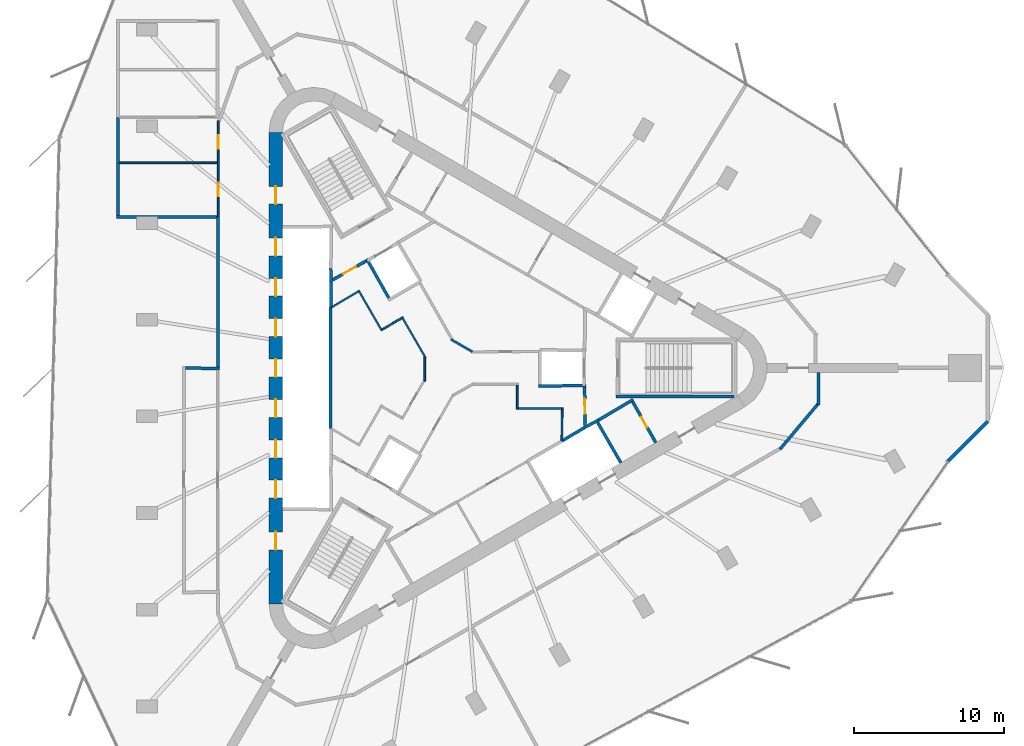
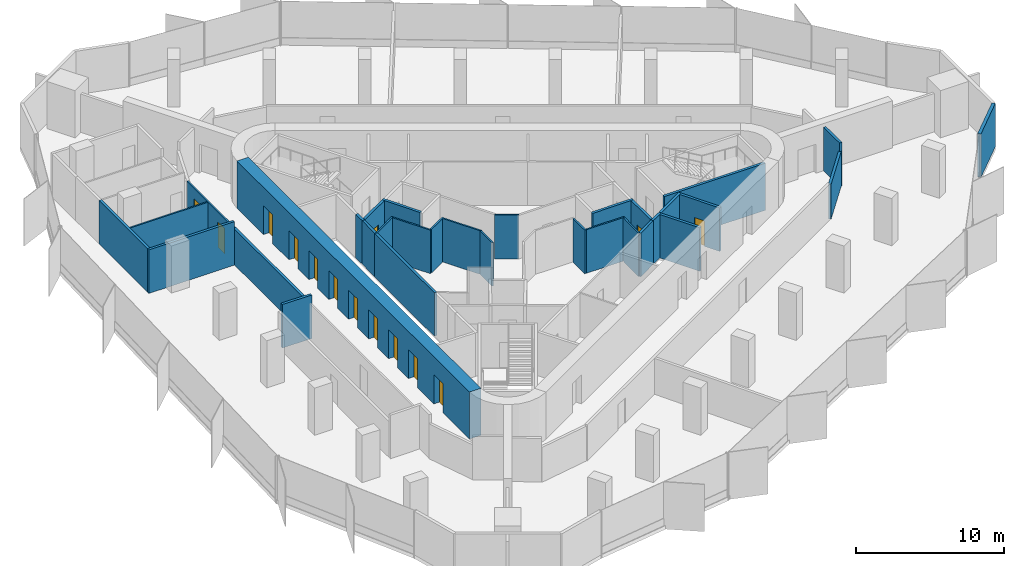
# One storey, part 9 of 13: 32 walls, 14 doors, 14 openings.
"""IFC4 building model written with IfcOpenShell, lengths in metres."""

from ifc_helpers import new_model, si_unit, direction, frame, frame_2d, origin, place, context, subcontext, project, spatial, rectangle, extrude, material, layer, layer_set, type_object, element, fill, save


model = new_model("IFC4")

# Units and contexts
model_context = context("Model", 3, precision=1e-05, world=origin(), true_north=direction((0.0, 1.0)))
body_context = subcontext(model_context, "Body", "Model", "MODEL_VIEW")
ifc_project = project(units=[si_unit("LENGTHUNIT", "METRE"), si_unit("AREAUNIT", "SQUARE_METRE"), si_unit("VOLUMEUNIT", "CUBIC_METRE"), si_unit("PLANEANGLEUNIT", "RADIAN"), si_unit("MASSUNIT", "GRAM", prefix="KILO")], contexts=[model_context])

# Site, building, storey
site_placement = place(None, origin())
site = spatial("IfcSite", under=ifc_project, at=site_placement, CompositionType="ELEMENT")
building_placement = place(site_placement, origin())
building = spatial("IfcBuilding", under=site, at=building_placement, Name="Tanit Gate Tower", CompositionType="ELEMENT")
storey_placement = place(building_placement, frame((0.0, 0.0, 326.0)))
storey = spatial("IfcBuildingStorey", under=building, at=storey_placement, Name="L73", CompositionType="ELEMENT", Elevation=326.0)

# Wall, openings, doors
ifc_material_1 = material(Name="Concrete C40/50", Category="concrete")
ifc_layer_1 = layer(ifc_material_1, 0.89990234375)
ifc_layer_set_1 = layer_set([ifc_layer_1], Name="CORE WALL 900 C40/50")
wall_type_1 = type_object("IfcWallType", Name="CORE WALL 900 C40/50", PredefinedType="SHEAR", material=ifc_layer_set_1)
wall_1_placement = place(storey_placement, frame((-11.64990234375, 15.76171875, 0.0), z_axis=(0.0, 0.0, 1.0), x_axis=(0.0, -1.0, 0.0)))
wall_1 = element("IfcWall", 1, at=wall_1_placement, inside=storey, type_object=wall_type_1, Name="CORE WALL", PredefinedType="SHEAR", context=body_context, shape_type="SweptSolid", body=[
    extrude(rectangle(XDim=31.5234375, YDim=0.89990234375, at=frame_2d((15.76171875, 0.0))), origin(), (0.0, 0.0, 1.0), 3.89990234375),
])
opening_1_placement = place(wall_1_placement, frame((7.061767578125, 0.0, 0.0)))
opening_1 = element("IfcOpeningElement", 2, at=opening_1_placement, cuts=wall_1, Name="Opening LDHL1-S20", PredefinedType="OPENING", context=body_context, shape_type="SweptSolid", body=[
    extrude(rectangle(XDim=1.199951171875, YDim=2.39990234375, at=frame_2d((0.60009765625, 1.199951171875))), frame((0.0, 0.4599609375, 0.0), z_axis=(0.0, -1.0, 0.0), x_axis=(1.0, 0.0, 0.0)), (0.0, 0.0, 1.0), 0.919921875),
])
opening_2_placement = place(wall_1_placement, frame((9.76171875, 0.0, 0.0)))
opening_2 = element("IfcOpeningElement", 3, at=opening_2_placement, cuts=wall_1, Name="Opening LDHL2-S20", PredefinedType="OPENING", context=body_context, shape_type="SweptSolid", body=[
    extrude(rectangle(XDim=1.199951171875, YDim=2.39990234375, at=frame_2d((0.60009765625, 1.199951171875))), frame((0.0, 0.4599609375, 0.0), z_axis=(0.0, -1.0, 0.0), x_axis=(1.0, 0.0, 0.0)), (0.0, 0.0, 1.0), 0.919921875),
])
opening_3_placement = place(wall_1_placement, frame((12.461669921875, 0.0, 0.0)))
opening_3 = element("IfcOpeningElement", 4, at=opening_3_placement, cuts=wall_1, Name="Opening LDHL3-S20", PredefinedType="OPENING", context=body_context, shape_type="SweptSolid", body=[
    extrude(rectangle(XDim=1.199951171875, YDim=2.39990234375, at=frame_2d((0.60009765625, 1.199951171875))), frame((0.0, 0.4599609375, 0.0), z_axis=(0.0, -1.0, 0.0), x_axis=(1.0, 0.0, 0.0)), (0.0, 0.0, 1.0), 0.919921875),
])
opening_4_placement = place(wall_1_placement, frame((15.16162109375, 0.0, 0.0)))
opening_4 = element("IfcOpeningElement", 5, at=opening_4_placement, cuts=wall_1, Name="Opening LDHL4-S20", PredefinedType="OPENING", context=body_context, shape_type="SweptSolid", body=[
    extrude(rectangle(XDim=1.199951171875, YDim=2.39990234375, at=frame_2d((0.60009765625, 1.199951171875))), frame((0.0, 0.4599609375, 0.0), z_axis=(0.0, -1.0, 0.0), x_axis=(1.0, 0.0, 0.0)), (0.0, 0.0, 1.0), 0.919921875),
])
opening_5_placement = place(wall_1_placement, frame((17.86181640625, 0.0, 0.0)))
opening_5 = element("IfcOpeningElement", 6, at=opening_5_placement, cuts=wall_1, Name="Opening LDHL5-S20", PredefinedType="OPENING", context=body_context, shape_type="SweptSolid", body=[
    extrude(rectangle(XDim=1.199951171875, YDim=2.39990234375, at=frame_2d((0.60009765625, 1.199951171875))), frame((0.0, 0.4599609375, 0.0), z_axis=(0.0, -1.0, 0.0), x_axis=(1.0, 0.0, 0.0)), (0.0, 0.0, 1.0), 0.919921875),
])
opening_6_placement = place(wall_1_placement, frame((20.561767578125, 0.0, 0.0)))
opening_6 = element("IfcOpeningElement", 7, at=opening_6_placement, cuts=wall_1, Name="Opening LDHL6-S20", PredefinedType="OPENING", context=body_context, shape_type="SweptSolid", body=[
    extrude(rectangle(XDim=1.199951171875, YDim=2.39990234375, at=frame_2d((0.60009765625, 1.199951171875))), frame((0.0, 0.4599609375, 0.0), z_axis=(0.0, -1.0, 0.0), x_axis=(1.0, 0.0, 0.0)), (0.0, 0.0, 1.0), 0.919921875),
])
opening_7_placement = place(wall_1_placement, frame((23.26171875, 0.0, 0.0)))
opening_7 = element("IfcOpeningElement", 8, at=opening_7_placement, cuts=wall_1, Name="Opening LDHL7-S20", PredefinedType="OPENING", context=body_context, shape_type="SweptSolid", body=[
    extrude(rectangle(XDim=1.199951171875, YDim=2.39990234375, at=frame_2d((0.60009765625, 1.199951171875))), frame((0.0, 0.4599609375, 0.0), z_axis=(0.0, -1.0, 0.0), x_axis=(1.0, 0.0, 0.0)), (0.0, 0.0, 1.0), 0.919921875),
])
opening_8_placement = place(wall_1_placement, frame((3.61181640625, 0.0, 0.0)))
opening_8 = element("IfcOpeningElement", 9, at=opening_8_placement, cuts=wall_1, Name="Opening F12-S20-FL2", PredefinedType="OPENING", context=body_context, shape_type="SweptSolid", body=[
    extrude(rectangle(XDim=1.199951171875, YDim=2.39990234375, at=frame_2d((0.60009765625, 1.199951171875))), frame((0.0, 0.4599609375, 0.0), z_axis=(0.0, -1.0, 0.0), x_axis=(1.0, 0.0, 0.0)), (0.0, 0.0, 1.0), 0.919921875),
])
opening_9_placement = place(wall_1_placement, frame((26.711669921875, 0.0, 0.0)))
opening_9 = element("IfcOpeningElement", 10, at=opening_9_placement, cuts=wall_1, Name="Opening F12-S20-S3", PredefinedType="OPENING", context=body_context, shape_type="SweptSolid", body=[
    extrude(rectangle(XDim=1.199951171875, YDim=2.39990234375, at=frame_2d((0.60009765625, 1.199951171875))), frame((0.0, 0.4599609375, 0.0), z_axis=(0.0, -1.0, 0.0), x_axis=(1.0, 0.0, 0.0)), (0.0, 0.0, 1.0), 0.919921875),
])
ifc_material_2 = material(Name="Fire-rated steel door leaf", Category="steel")
door_type_1 = type_object("IfcDoorType", Name="INT-DOOR-FIRE-LOBBY-1200", OperationType="NOTDEFINED", PredefinedType="USERDEFINED", material=ifc_material_2)
door_1_placement = place(opening_8_placement, origin())
door_1 = element("IfcDoor", 11, at=door_1_placement, inside=storey, type_object=door_type_1, Name="Door F12-S20-FL2", ObjectType="FIRE DOOR", OperationType="SINGLE_SWING_LEFT", OverallHeight=2.39990234375, OverallWidth=1.199951171875, PredefinedType="USERDEFINED", context=body_context, shape_type="SweptSolid", body=[
    extrude(rectangle(XDim=1.199951171875, YDim=2.39990234375, at=frame_2d((0.60009765625, 1.199951171875))), frame((0.0, 0.02490234375, 0.0), z_axis=(0.0, -1.0, 0.0), x_axis=(1.0, 0.0, 0.0)), (0.0, 0.0, 1.0), 0.050048828125),
])
fill(opening_8, door_1)
door_2_placement = place(opening_9_placement, origin())
door_2 = element("IfcDoor", 12, at=door_2_placement, inside=storey, type_object=door_type_1, Name="Door F12-S20-S3", ObjectType="FIRE DOOR", OperationType="SINGLE_SWING_LEFT", OverallHeight=2.39990234375, OverallWidth=1.199951171875, PredefinedType="USERDEFINED", context=body_context, shape_type="SweptSolid", body=[
    extrude(rectangle(XDim=1.199951171875, YDim=2.39990234375, at=frame_2d((0.60009765625, 1.199951171875))), frame((0.0, 0.02490234375, 0.0), z_axis=(0.0, -1.0, 0.0), x_axis=(1.0, 0.0, 0.0)), (0.0, 0.0, 1.0), 0.050048828125),
])
fill(opening_9, door_2)
ifc_material_3 = material(Name="Stainless steel sliding door leaf", Category="steel")
door_type_2 = type_object("IfcDoorType", Name="INT-DOOR-LANDING-1200", OperationType="NOTDEFINED", PredefinedType="USERDEFINED", material=ifc_material_3)
door_3_placement = place(opening_1_placement, origin())
door_3 = element("IfcDoor", 13, at=door_3_placement, inside=storey, type_object=door_type_2, Name="Door LDHL1-S20", ObjectType="LANDING DOOR", OperationType="SLIDING_TO_LEFT", OverallHeight=2.39990234375, OverallWidth=1.199951171875, PredefinedType="USERDEFINED", context=body_context, shape_type="SweptSolid", body=[
    extrude(rectangle(XDim=1.199951171875, YDim=2.39990234375, at=frame_2d((0.60009765625, 1.199951171875))), frame((0.0, 0.02490234375, 0.0), z_axis=(0.0, -1.0, 0.0), x_axis=(1.0, 0.0, 0.0)), (0.0, 0.0, 1.0), 0.050048828125),
])
fill(opening_1, door_3)
door_4_placement = place(opening_2_placement, origin())
door_4 = element("IfcDoor", 14, at=door_4_placement, inside=storey, type_object=door_type_2, Name="Door LDHL2-S20", ObjectType="LANDING DOOR", OperationType="SLIDING_TO_LEFT", OverallHeight=2.39990234375, OverallWidth=1.199951171875, PredefinedType="USERDEFINED", context=body_context, shape_type="SweptSolid", body=[
    extrude(rectangle(XDim=1.199951171875, YDim=2.39990234375, at=frame_2d((0.60009765625, 1.199951171875))), frame((0.0, 0.02490234375, 0.0), z_axis=(0.0, -1.0, 0.0), x_axis=(1.0, 0.0, 0.0)), (0.0, 0.0, 1.0), 0.050048828125),
])
fill(opening_2, door_4)
door_5_placement = place(opening_3_placement, origin())
door_5 = element("IfcDoor", 15, at=door_5_placement, inside=storey, type_object=door_type_2, Name="Door LDHL3-S20", ObjectType="LANDING DOOR", OperationType="SLIDING_TO_LEFT", OverallHeight=2.39990234375, OverallWidth=1.199951171875, PredefinedType="USERDEFINED", context=body_context, shape_type="SweptSolid", body=[
    extrude(rectangle(XDim=1.199951171875, YDim=2.39990234375, at=frame_2d((0.60009765625, 1.199951171875))), frame((0.0, 0.02490234375, 0.0), z_axis=(0.0, -1.0, 0.0), x_axis=(1.0, 0.0, 0.0)), (0.0, 0.0, 1.0), 0.050048828125),
])
fill(opening_3, door_5)
door_6_placement = place(opening_4_placement, origin())
door_6 = element("IfcDoor", 16, at=door_6_placement, inside=storey, type_object=door_type_2, Name="Door LDHL4-S20", ObjectType="LANDING DOOR", OperationType="SLIDING_TO_LEFT", OverallHeight=2.39990234375, OverallWidth=1.199951171875, PredefinedType="USERDEFINED", context=body_context, shape_type="SweptSolid", body=[
    extrude(rectangle(XDim=1.199951171875, YDim=2.39990234375, at=frame_2d((0.60009765625, 1.199951171875))), frame((0.0, 0.02490234375, 0.0), z_axis=(0.0, -1.0, 0.0), x_axis=(1.0, 0.0, 0.0)), (0.0, 0.0, 1.0), 0.050048828125),
])
fill(opening_4, door_6)
door_7_placement = place(opening_5_placement, origin())
door_7 = element("IfcDoor", 17, at=door_7_placement, inside=storey, type_object=door_type_2, Name="Door LDHL5-S20", ObjectType="LANDING DOOR", OperationType="SLIDING_TO_LEFT", OverallHeight=2.39990234375, OverallWidth=1.199951171875, PredefinedType="USERDEFINED", context=body_context, shape_type="SweptSolid", body=[
    extrude(rectangle(XDim=1.199951171875, YDim=2.39990234375, at=frame_2d((0.60009765625, 1.199951171875))), frame((0.0, 0.02490234375, 0.0), z_axis=(0.0, -1.0, 0.0), x_axis=(1.0, 0.0, 0.0)), (0.0, 0.0, 1.0), 0.050048828125),
])
fill(opening_5, door_7)
door_8_placement = place(opening_6_placement, origin())
door_8 = element("IfcDoor", 18, at=door_8_placement, inside=storey, type_object=door_type_2, Name="Door LDHL6-S20", ObjectType="LANDING DOOR", OperationType="SLIDING_TO_LEFT", OverallHeight=2.39990234375, OverallWidth=1.199951171875, PredefinedType="USERDEFINED", context=body_context, shape_type="SweptSolid", body=[
    extrude(rectangle(XDim=1.199951171875, YDim=2.39990234375, at=frame_2d((0.60009765625, 1.199951171875))), frame((0.0, 0.02490234375, 0.0), z_axis=(0.0, -1.0, 0.0), x_axis=(1.0, 0.0, 0.0)), (0.0, 0.0, 1.0), 0.050048828125),
])
fill(opening_6, door_8)
door_9_placement = place(opening_7_placement, origin())
door_9 = element("IfcDoor", 19, at=door_9_placement, inside=storey, type_object=door_type_2, Name="Door LDHL7-S20", ObjectType="LANDING DOOR", OperationType="SLIDING_TO_LEFT", OverallHeight=2.39990234375, OverallWidth=1.199951171875, PredefinedType="USERDEFINED", context=body_context, shape_type="SweptSolid", body=[
    extrude(rectangle(XDim=1.199951171875, YDim=2.39990234375, at=frame_2d((0.60009765625, 1.199951171875))), frame((0.0, 0.02490234375, 0.0), z_axis=(0.0, -1.0, 0.0), x_axis=(1.0, 0.0, 0.0)), (0.0, 0.0, 1.0), 0.050048828125),
])
fill(opening_7, door_9)

# Walls
ifc_material_4 = material(Name="Concrete C30/37 with bronze anodised aluminium cladding", Category="concrete")
ifc_layer_2 = layer(ifc_material_4, 0.239990234375)
ifc_layer_set_2 = layer_set([ifc_layer_2], Name="Facade wall bronze clad 240")
wall_type_2 = type_object("IfcWallType", Name="Facade wall bronze clad 240", PredefinedType="SOLIDWALL", material=ifc_layer_set_2)
wall_2_placement = place(storey_placement, frame((33.29638671875, -6.238037109375, 0.0), z_axis=(0.0, 0.0, 1.0), x_axis=(0.707106781187, 0.707106781187, 0.0)))
element("IfcWall", 20, at=wall_2_placement, inside=storey, type_object=wall_type_2, Name="Bronze-clad facade wall L73 E.arc1", PredefinedType="SOLIDWALL", context=body_context, shape_type="SweptSolid", body=[
    extrude(rectangle(XDim=3.75341796875, YDim=0.239990234375, at=frame_2d((1.876708984375, 0.0))), origin(), (0.0, 0.0, 1.0), 3.60009765625),
])
ifc_material_5 = material(Name="Fire-rated gypsum board partition")
ifc_layer_3 = layer(ifc_material_5, 0.199951171875)
ifc_layer_set_3 = layer_set([ifc_layer_3], Name="INT-WALL-COMPARTMENT")
wall_type_3 = type_object("IfcWallType", Name="INT-WALL-COMPARTMENT", PredefinedType="PARTITIONING", material=ifc_layer_set_3)
wall_3_placement = place(storey_placement, frame((12.244873046875, -2.10888671875, 0.0), z_axis=(0.0, 0.0, 1.0), x_axis=(-0.860414880418, -0.509594185166, 0.0)))
element("IfcWall", 21, at=wall_3_placement, inside=storey, type_object=wall_type_3, Name="Wall Compartment W057", PredefinedType="PARTITIONING", context=body_context, shape_type="SweptSolid", body=[
    extrude(rectangle(XDim=2.7001953125, YDim=0.199951171875, at=frame_2d((1.35009765625, 0.0))), origin(), (0.0, 0.0, 1.0), 3.60009765625),
])

# Wall, opening, door
wall_4_placement = place(storey_placement, frame((13.758056640625, -4.989501953125, 0.0), z_axis=(0.0, 0.0, 1.0), x_axis=(-0.491993409184, 0.87059892334, 0.0)))
wall_4 = element("IfcWall", 22, at=wall_4_placement, inside=storey, type_object=wall_type_3, Name="Wall Compartment W058", PredefinedType="PARTITIONING", context=body_context, shape_type="SweptSolid", body=[
    extrude(rectangle(XDim=3.150146484375, YDim=0.199951171875, at=frame_2d((1.5751953125, 0.0))), origin(), (0.0, 0.0, 1.0), 3.60009765625),
])
opening_10_placement = place(wall_4_placement, frame((1.175048828125, 0.0, 0.0)))
opening_10 = element("IfcOpeningElement", 23, at=opening_10_placement, cuts=wall_4, Name="Opening R08-S20-17", PredefinedType="OPENING", context=body_context, shape_type="SweptSolid", body=[
    extrude(rectangle(XDim=0.800048828125, YDim=2.10009765625, at=frame_2d((0.39990234375, 1.050048828125))), frame((0.0, 0.10986328125, 0.0), z_axis=(0.0, -1.0, 0.0), x_axis=(1.0, 0.0, 0.0)), (0.0, 0.0, 1.0), 0.219970703125),
])
ifc_material_6 = material(Name="Timber door leaf", Category="wood")
door_type_3 = type_object("IfcDoorType", Name="INT-DOOR-RISER-800", OperationType="NOTDEFINED", PredefinedType="USERDEFINED", material=ifc_material_6)
door_10_placement = place(opening_10_placement, origin())
door_10 = element("IfcDoor", 24, at=door_10_placement, inside=storey, type_object=door_type_3, Name="Door R08-S20-17", ObjectType="FIRE DOOR", OperationType="SINGLE_SWING_LEFT", OverallHeight=2.10009765625, OverallWidth=0.800048828125, PredefinedType="USERDEFINED", context=body_context, shape_type="SweptSolid", body=[
    extrude(rectangle(XDim=0.800048828125, YDim=2.10009765625, at=frame_2d((0.39990234375, 1.050048828125))), frame((0.0, 0.02490234375, 0.0), z_axis=(0.0, -1.0, 0.0), x_axis=(1.0, 0.0, 0.0)), (0.0, 0.0, 1.0), 0.050048828125),
])
fill(opening_10, door_10)

wall_5_placement = place(storey_placement, frame((9.02880859375, -3.850830078125, 0.0), z_axis=(0.0, 0.0, 1.0), x_axis=(-0.010783593937, 0.99994185536, 0.0)))
wall_5 = element("IfcWall", 25, at=wall_5_placement, inside=storey, type_object=wall_type_3, Name="Wall Compartment W060", PredefinedType="PARTITIONING", context=body_context, shape_type="SweptSolid", body=[
    extrude(rectangle(XDim=2.5810546875, YDim=0.199951171875, at=frame_2d((1.29052734375, 0.0))), origin(), (0.0, 0.0, 1.0), 3.60009765625),
])
opening_11_placement = place(wall_5_placement, frame((0.79052734375, 0.0, 0.0)))
opening_11 = element("IfcOpeningElement", 26, at=opening_11_placement, cuts=wall_5, Name="Opening F10-S20-02", PredefinedType="OPENING", context=body_context, shape_type="SweptSolid", body=[
    extrude(rectangle(XDim=1.0, YDim=2.10009765625, at=frame_2d((0.5, 1.050048828125))), frame((0.0, 0.10986328125, 0.0), z_axis=(0.0, -1.0, 0.0), x_axis=(1.0, 0.0, 0.0)), (0.0, 0.0, 1.0), 0.219970703125),
])
ifc_material_7 = material(Name="Fire-rated steel door leaf", Category="steel")
door_type_4 = type_object("IfcDoorType", Name="INT-DOOR-FIRE-1000", OperationType="NOTDEFINED", PredefinedType="USERDEFINED", material=ifc_material_7)
door_11_placement = place(opening_11_placement, origin())
door_11 = element("IfcDoor", 27, at=door_11_placement, inside=storey, type_object=door_type_4, Name="Door F10-S20-02", ObjectType="FIRE DOOR", OperationType="SINGLE_SWING_LEFT", OverallHeight=2.10009765625, OverallWidth=1.0, PredefinedType="USERDEFINED", context=body_context, shape_type="SweptSolid", body=[
    extrude(rectangle(XDim=1.0, YDim=2.10009765625, at=frame_2d((0.5, 1.050048828125))), frame((0.0, 0.02490234375, 0.0), z_axis=(0.0, -1.0, 0.0), x_axis=(1.0, 0.0, 0.0)), (0.0, 0.0, 1.0), 0.050048828125),
])
fill(opening_11, door_11)

wall_6_placement = place(storey_placement, frame((-5.600341796875, 7.16015625, 0.0), z_axis=(0.0, 0.0, 1.0), x_axis=(-0.871363259478, -0.490638431059, 0.0)))
wall_6 = element("IfcWall", 28, at=wall_6_placement, inside=storey, type_object=wall_type_3, Name="Wall Compartment W062", PredefinedType="PARTITIONING", context=body_context, shape_type="SweptSolid", body=[
    extrude(rectangle(XDim=2.5810546875, YDim=0.199951171875, at=frame_2d((1.29052734375, 0.0))), origin(), (0.0, 0.0, 1.0), 3.60009765625),
])
opening_12_placement = place(wall_6_placement, frame((0.79052734375, 0.0, 0.0)))
opening_12 = element("IfcOpeningElement", 29, at=opening_12_placement, cuts=wall_6, Name="Opening F10-S20-05", PredefinedType="OPENING", context=body_context, shape_type="SweptSolid", body=[
    extrude(rectangle(XDim=1.0, YDim=2.10009765625, at=frame_2d((0.5, 1.050048828125))), frame((0.0, 0.10986328125, 0.0), z_axis=(0.0, -1.0, 0.0), x_axis=(1.0, 0.0, 0.0)), (0.0, 0.0, 1.0), 0.219970703125),
])
door_12_placement = place(opening_12_placement, origin())
door_12 = element("IfcDoor", 30, at=door_12_placement, inside=storey, type_object=door_type_4, Name="Door F10-S20-05", ObjectType="FIRE DOOR", OperationType="SINGLE_SWING_RIGHT", OverallHeight=2.10009765625, OverallWidth=1.0, PredefinedType="USERDEFINED", context=body_context, shape_type="SweptSolid", body=[
    extrude(rectangle(XDim=1.0, YDim=2.10009765625, at=frame_2d((0.5, 1.050048828125))), frame((0.0, 0.02490234375, 0.0), z_axis=(0.0, -1.0, 0.0), x_axis=(1.0, 0.0, 0.0)), (0.0, 0.0, 1.0), 0.050048828125),
])
fill(opening_12, door_12)

# Walls
wall_7_placement = place(storey_placement, frame((-15.39990234375, -0.03125, 0.0), z_axis=(0.0, 0.0, 1.0), x_axis=(-0.999914782125, 0.013054826261, 0.0)))
element("IfcWall", 31, at=wall_7_placement, inside=storey, type_object=wall_type_3, Name="Wall Compartment W086", PredefinedType="PARTITIONING", context=body_context, shape_type="SweptSolid", body=[
    extrude(rectangle(XDim=2.30029296875, YDim=0.199951171875, at=frame_2d((1.150146484375, 0.0))), origin(), (0.0, 0.0, 1.0), 3.60009765625),
])
wall_8_placement = place(storey_placement, frame((-15.5, 10.199951171875, 0.0), z_axis=(0.0, 0.0, 1.0), x_axis=(0.0, -1.0, 0.0)))
element("IfcWall", 32, at=wall_8_placement, inside=storey, type_object=wall_type_3, Name="Wall Compartment W090", PredefinedType="PARTITIONING", context=body_context, shape_type="SweptSolid", body=[
    extrude(rectangle(XDim=10.1298828125, YDim=0.199951171875, at=frame_2d((5.06494140625, 0.0))), origin(), (0.0, 0.0, 1.0), 2.969970703125),
])
wall_9_placement = place(storey_placement, frame((24.647705078125, -2.46240234375, 0.0), z_axis=(0.0, 0.0, 1.0), x_axis=(-0.012757232068, 0.999918623204, 0.0)))
element("IfcWall", 33, at=wall_9_placement, inside=storey, type_object=wall_type_3, Name="Wall Compartment W102", PredefinedType="PARTITIONING", context=body_context, shape_type="SweptSolid", body=[
    extrude(rectangle(XDim=2.16259765625, YDim=0.199951171875, at=frame_2d((1.081298828125, 0.0))), origin(), (0.0, 0.0, 1.0), 3.60009765625),
])
wall_10_placement = place(storey_placement, frame((22.05419921875, -5.435302734375, 0.0), z_axis=(0.0, 0.0, 1.0), x_axis=(0.642790979996, 0.766041615081, 0.0)))
element("IfcWall", 34, at=wall_10_placement, inside=storey, type_object=wall_type_3, Name="Wall Compartment W103", PredefinedType="PARTITIONING", context=body_context, shape_type="SweptSolid", body=[
    extrude(rectangle(XDim=3.9833984375, YDim=0.199951171875, at=frame_2d((1.99169921875, 0.0))), origin(), (0.0, 0.0, 1.0), 2.8798828125),
])
wall_11_placement = place(storey_placement, frame((-22.199951171875, 16.76171875, 0.0), z_axis=(0.0, 0.0, 1.0), x_axis=(0.0, -1.0, 0.0)))
element("IfcWall", 35, at=wall_11_placement, inside=storey, type_object=wall_type_3, Name="Wall Compartment W114", PredefinedType="PARTITIONING", context=body_context, shape_type="SweptSolid", body=[
    extrude(rectangle(XDim=6.561767578125, YDim=0.199951171875, at=frame_2d((3.28076171875, 0.0))), origin(), (0.0, 0.0, 1.0), 3.60009765625),
])
wall_12_placement = place(storey_placement, frame((-15.60009765625, 10.10009765625, 0.0), z_axis=(0.0, 0.0, 1.0), x_axis=(-1.0, 0.0, 0.0)))
element("IfcWall", 36, at=wall_12_placement, inside=storey, type_object=wall_type_3, Name="Wall Compartment W113", PredefinedType="PARTITIONING", context=body_context, shape_type="SweptSolid", body=[
    extrude(rectangle(XDim=6.699951171875, YDim=0.199951171875, at=frame_2d((3.35009765625, 0.0))), origin(), (0.0, 0.0, 1.0), 3.60009765625),
])
ifc_material_8 = material(Name="Gypsum board partition")
ifc_layer_4 = layer(ifc_material_8, 0.1201171875)
ifc_layer_set_4 = layer_set([ifc_layer_4], Name="INT-WALL-PARTITION")
wall_type_4 = type_object("IfcWallType", Name="INT-WALL-PARTITION", PredefinedType="PARTITIONING", material=ifc_layer_set_4)
wall_13_placement = place(storey_placement, frame((4.5, -2.760009765625, 0.0), z_axis=(0.0, 0.0, 1.0), x_axis=(0.0, 1.0, 0.0)))
element("IfcWall", 37, at=wall_13_placement, inside=storey, type_object=wall_type_4, Name="Wall Partition W071", PredefinedType="PARTITIONING", context=body_context, shape_type="SweptSolid", body=[
    extrude(rectangle(XDim=1.625, YDim=0.1201171875, at=frame_2d((0.8125, 0.0))), origin(), (0.0, 0.0, 1.0), 3.60009765625),
])
wall_14_placement = place(storey_placement, frame((7.56005859375, -2.699951171875, 0.0), z_axis=(0.0, 0.0, 1.0), x_axis=(-1.0, 0.0, 0.0)))
element("IfcWall", 38, at=wall_14_placement, inside=storey, type_object=wall_type_4, Name="Wall Partition W072", PredefinedType="PARTITIONING", context=body_context, shape_type="SweptSolid", body=[
    extrude(rectangle(XDim=3.0, YDim=0.1201171875, at=frame_2d((1.5, 0.0))), origin(), (0.0, 0.0, 1.0), 3.60009765625),
])
wall_15_placement = place(storey_placement, frame((7.474609375, -4.864501953125, 0.0), z_axis=(0.0, 0.0, 1.0), x_axis=(0.011716133148, 0.999931363757, 0.0)))
element("IfcWall", 39, at=wall_15_placement, inside=storey, type_object=wall_type_4, Name="Wall Partition W073", PredefinedType="PARTITIONING", context=body_context, shape_type="SweptSolid", body=[
    extrude(rectangle(XDim=2.104736328125, YDim=0.1201171875, at=frame_2d((1.05224609375, 0.0))), origin(), (0.0, 0.0, 1.0), 3.60009765625),
])
wall_16_placement = place(storey_placement, frame((-6.03662109375, 5.17578125, 0.0), z_axis=(0.0, 0.0, 1.0), x_axis=(-0.860106072674, -0.510115225953, 0.0)))
element("IfcWall", 40, at=wall_16_placement, inside=storey, type_object=wall_type_4, Name="Wall Partition W074", PredefinedType="PARTITIONING", context=body_context, shape_type="SweptSolid", body=[
    extrude(rectangle(XDim=2.224609375, YDim=0.1201171875, at=frame_2d((1.1123046875, 0.0))), origin(), (0.0, 0.0, 1.0), 3.60009765625),
])
wall_17_placement = place(storey_placement, frame((-4.558349609375, 2.4951171875, 0.0), z_axis=(0.0, 0.0, 1.0), x_axis=(-0.499990139034, 0.866031096941, 0.0)))
element("IfcWall", 41, at=wall_17_placement, inside=storey, type_object=wall_type_4, Name="Wall Partition W075", PredefinedType="PARTITIONING", context=body_context, shape_type="SweptSolid", body=[
    extrude(rectangle(XDim=3.0, YDim=0.1201171875, at=frame_2d((1.5, 0.0))), origin(), (0.0, 0.0, 1.0), 3.60009765625),
])
wall_18_placement = place(storey_placement, frame((-3.12890625, 3.3896484375, 0.0), z_axis=(0.0, 0.0, 1.0), x_axis=(-0.866053003207, -0.499952193351, 0.0)))
element("IfcWall", 42, at=wall_18_placement, inside=storey, type_object=wall_type_4, Name="Wall Partition W076", PredefinedType="PARTITIONING", context=body_context, shape_type="SweptSolid", body=[
    extrude(rectangle(XDim=1.625244140625, YDim=0.1201171875, at=frame_2d((0.8125, 0.0))), origin(), (0.0, 0.0, 1.0), 3.60009765625),
])
wall_19_placement = place(storey_placement, frame((-1.63671875, 0.68505859375, 0.0), z_axis=(0.0, 0.0, 1.0), x_axis=(-0.500006252586, 0.866021793822, 0.0)))
element("IfcWall", 43, at=wall_19_placement, inside=storey, type_object=wall_type_4, Name="Wall Partition W077", PredefinedType="PARTITIONING", context=body_context, shape_type="SweptSolid", body=[
    extrude(rectangle(XDim=3.0283203125, YDim=0.1201171875, at=frame_2d((1.51416015625, 0.0))), origin(), (0.0, 0.0, 1.0), 3.60009765625),
])
wall_20_placement = place(storey_placement, frame((-1.688720703125, -0.87890625, 0.0), z_axis=(0.0, 0.0, 1.0), x_axis=(0.0, 1.0, 0.0)))
element("IfcWall", 44, at=wall_20_placement, inside=storey, type_object=wall_type_4, Name="Wall Partition W078", PredefinedType="PARTITIONING", context=body_context, shape_type="SweptSolid", body=[
    extrude(rectangle(XDim=1.63525390625, YDim=0.1201171875, at=frame_2d((0.817626953125, 0.0))), origin(), (0.0, 0.0, 1.0), 3.60009765625),
])

# Wall, openings, doors
wall_21_placement = place(storey_placement, frame((-15.5, 16.53759765625, 0.0), z_axis=(0.0, 0.0, 1.0), x_axis=(0.0, -1.0, 0.0)))
wall_21 = element("IfcWall", 45, at=wall_21_placement, inside=storey, type_object=wall_type_4, Name="Wall Partition W094", PredefinedType="PARTITIONING", context=body_context, shape_type="SweptSolid", body=[
    extrude(rectangle(XDim=6.40771484375, YDim=0.1201171875, at=frame_2d((3.203857421875, 0.0))), origin(), (0.0, 0.0, 1.0), 2.969970703125),
])
opening_13_placement = place(wall_21_placement, frame((4.1455078125, 0.0, 0.0)))
opening_13 = element("IfcOpeningElement", 46, at=opening_13_placement, cuts=wall_21, Name="Opening D09-S20-19", PredefinedType="OPENING", context=body_context, shape_type="SweptSolid", body=[
    extrude(rectangle(XDim=0.89990234375, YDim=2.10009765625, at=frame_2d((0.449951171875, 1.050048828125))), frame((0.0, 0.070068359375, 0.0), z_axis=(0.0, -1.0, 0.0), x_axis=(1.0, 0.0, 0.0)), (0.0, 0.0, 1.0), 0.14013671875),
])
opening_14_placement = place(wall_21_placement, frame((0.990234375, 0.0, 0.0)))
opening_14 = element("IfcOpeningElement", 47, at=opening_14_placement, cuts=wall_21, Name="Opening D09-S20-20", PredefinedType="OPENING", context=body_context, shape_type="SweptSolid", body=[
    extrude(rectangle(XDim=0.89990234375, YDim=2.10009765625, at=frame_2d((0.449951171875, 1.050048828125))), frame((0.0, 0.070068359375, 0.0), z_axis=(0.0, -1.0, 0.0), x_axis=(1.0, 0.0, 0.0)), (0.0, 0.0, 1.0), 0.14013671875),
])
ifc_material_9 = material(Name="Timber door leaf", Category="wood")
door_type_5 = type_object("IfcDoorType", Name="INT-DOOR-SINGLE-900", OperationType="NOTDEFINED", PredefinedType="NOTDEFINED", material=ifc_material_9)
door_13_placement = place(opening_13_placement, origin())
door_13 = element("IfcDoor", 48, at=door_13_placement, inside=storey, type_object=door_type_5, Name="Door D09-S20-19", OperationType="SINGLE_SWING_RIGHT", OverallHeight=2.10009765625, OverallWidth=0.89990234375, PredefinedType="NOTDEFINED", context=body_context, shape_type="SweptSolid", body=[
    extrude(rectangle(XDim=0.89990234375, YDim=2.10009765625, at=frame_2d((0.449951171875, 1.050048828125))), frame((0.0, 0.02490234375, 0.0), z_axis=(0.0, -1.0, 0.0), x_axis=(1.0, 0.0, 0.0)), (0.0, 0.0, 1.0), 0.050048828125),
])
fill(opening_13, door_13)
door_14_placement = place(opening_14_placement, origin())
door_14 = element("IfcDoor", 49, at=door_14_placement, inside=storey, type_object=door_type_5, Name="Door D09-S20-20", OperationType="SINGLE_SWING_LEFT", OverallHeight=2.10009765625, OverallWidth=0.89990234375, PredefinedType="NOTDEFINED", context=body_context, shape_type="SweptSolid", body=[
    extrude(rectangle(XDim=0.89990234375, YDim=2.10009765625, at=frame_2d((0.449951171875, 1.050048828125))), frame((0.0, 0.02490234375, 0.0), z_axis=(0.0, -1.0, 0.0), x_axis=(1.0, 0.0, 0.0)), (0.0, 0.0, 1.0), 0.050048828125),
])
fill(opening_14, door_14)

# Walls
wall_22_placement = place(storey_placement, frame((-15.530029296875, 13.72412109375, 0.0), z_axis=(0.0, 0.0, 1.0), x_axis=(-1.0, 0.0, 0.0)))
element("IfcWall", 50, at=wall_22_placement, inside=storey, type_object=wall_type_4, Name="Wall Partition W125", PredefinedType="PARTITIONING", context=body_context, shape_type="SweptSolid", body=[
    extrude(rectangle(XDim=6.570068359375, YDim=0.1201171875, at=frame_2d((3.28515625, 0.0))), origin(), (0.0, 0.0, 1.0), 2.969970703125),
])
ifc_material_10 = material(Name="Fire-rated gypsum board partition")
ifc_layer_5 = layer(ifc_material_10, 0.14990234375)
ifc_layer_set_5 = layer_set([ifc_layer_5], Name="INT-WALL-RISER")
wall_type_5 = type_object("IfcWallType", Name="INT-WALL-RISER", PredefinedType="PLUMBINGWALL", material=ifc_layer_set_5)
wall_23_placement = place(storey_placement, frame((0.0625, 1.9140625, 0.0), z_axis=(0.0, 0.0, 1.0), x_axis=(0.866018462269, -0.500012022864, 0.0)))
element("IfcWall", 51, at=wall_23_placement, inside=storey, type_object=wall_type_5, Name="Wall Riser W066", PredefinedType="PLUMBINGWALL", context=body_context, shape_type="SweptSolid", body=[
    extrude(rectangle(XDim=1.654296875, YDim=0.14990234375, at=frame_2d((0.8271484375, 0.0))), origin(), (0.0, 0.0, 1.0), 3.60009765625),
])
ifc_material_11 = material(Name="Gypsum shaft wall system")
ifc_layer_6 = layer(ifc_material_11, 0.199951171875)
ifc_layer_set_6 = layer_set([ifc_layer_6], Name="INT-WALL-SHAFT")
wall_type_6 = type_object("IfcWallType", Name="INT-WALL-SHAFT", PredefinedType="PLUMBINGWALL", material=ifc_layer_set_6)
wall_24_placement = place(storey_placement, frame((-7.97705078125, 6.650146484375, 0.0), z_axis=(0.0, 0.0, 1.0), x_axis=(0.030861509705, -0.999523670164, 0.0)))
element("IfcWall", 52, at=wall_24_placement, inside=storey, type_object=wall_type_6, Name="Wall Shaft W003", PredefinedType="PLUMBINGWALL", context=body_context, shape_type="SweptSolid", body=[
    extrude(rectangle(XDim=0.878173828125, YDim=0.199951171875, at=frame_2d((0.43896484375, 0.0))), origin(), (0.0, 0.0, 1.0), 3.60009765625),
])
wall_25_placement = place(storey_placement, frame((-7.94921875, 5.894775390625, 0.0), z_axis=(0.0, 0.0, 1.0), x_axis=(-0.012042535896, -0.999927486035, 0.0)))
element("IfcWall", 53, at=wall_25_placement, inside=storey, type_object=wall_type_6, Name="Wall Shaft W004", PredefinedType="PLUMBINGWALL", context=body_context, shape_type="SweptSolid", body=[
    extrude(rectangle(XDim=1.844970703125, YDim=0.199951171875, at=frame_2d((0.92236328125, 0.0))), origin(), (0.0, 0.0, 1.0), 3.60009765625),
])
wall_26_placement = place(storey_placement, frame((-7.97998046875, 4.050048828125, 0.0), z_axis=(0.0, 0.0, 1.0), x_axis=(0.0, -1.0, 0.0)))
element("IfcWall", 54, at=wall_26_placement, inside=storey, type_object=wall_type_6, Name="Wall Shaft W005", PredefinedType="PLUMBINGWALL", context=body_context, shape_type="SweptSolid", body=[
    extrude(rectangle(XDim=8.10009765625, YDim=0.199951171875, at=frame_2d((4.050048828125, 0.0))), origin(), (0.0, 0.0, 1.0), 3.60009765625),
])
wall_27_placement = place(storey_placement, frame((9.794677734375, -3.52490234375, 0.0), z_axis=(0.0, 0.0, 1.0), x_axis=(0.499984717929, -0.866034226713, 0.0)))
element("IfcWall", 55, at=wall_27_placement, inside=storey, type_object=wall_type_6, Name="Wall Shaft W017", PredefinedType="PLUMBINGWALL", context=body_context, shape_type="SweptSolid", body=[
    extrude(rectangle(XDim=3.25, YDim=0.199951171875, at=frame_2d((1.625, 0.0))), origin(), (0.0, 0.0, 1.0), 3.60009765625),
])
wall_28_placement = place(storey_placement, frame((8.97412109375, -3.998779296875, 0.0), z_axis=(0.0, 0.0, 1.0), x_axis=(0.880907015104, 0.473289373154, 0.0)))
element("IfcWall", 56, at=wall_28_placement, inside=storey, type_object=wall_type_6, Name="Wall Shaft W018", PredefinedType="PLUMBINGWALL", context=body_context, shape_type="SweptSolid", body=[
    extrude(rectangle(XDim=1.078125, YDim=0.199951171875, at=frame_2d((0.5390625, 0.0))), origin(), (0.0, 0.0, 1.0), 3.60009765625),
])
wall_29_placement = place(storey_placement, frame((7.4931640625, -4.87841796875, 0.0), z_axis=(0.0, 0.0, 1.0), x_axis=(0.859981807212, 0.510324691999, 0.0)))
element("IfcWall", 57, at=wall_29_placement, inside=storey, type_object=wall_type_6, Name="Wall Shaft W019", PredefinedType="PLUMBINGWALL", context=body_context, shape_type="SweptSolid", body=[
    extrude(rectangle(XDim=1.8447265625, YDim=0.199951171875, at=frame_2d((0.92236328125, 0.0))), origin(), (0.0, 0.0, 1.0), 3.60009765625),
])
wall_30_placement = place(storey_placement, frame((5.89990234375, -1.200927734375, 0.0), z_axis=(0.0, 0.0, 1.0), x_axis=(0.999950064753, 0.009993397809, 0.0)))
element("IfcWall", 58, at=wall_30_placement, inside=storey, type_object=wall_type_6, Name="Wall Shaft W026", PredefinedType="PLUMBINGWALL", context=body_context, shape_type="SweptSolid", body=[
    extrude(rectangle(XDim=3.200439453125, YDim=0.199951171875, at=frame_2d((1.60009765625, 0.0))), origin(), (0.0, 0.0, 1.0), 3.60009765625),
])
wall_31_placement = place(storey_placement, frame((-5.5625, 7.29638671875, 0.0), z_axis=(0.0, 0.0, 1.0), x_axis=(0.49134651263, -0.870964180966, 0.0)))
element("IfcWall", 59, at=wall_31_placement, inside=storey, type_object=wall_type_6, Name="Wall Shaft W035", PredefinedType="PLUMBINGWALL", context=body_context, shape_type="SweptSolid", body=[
    extrude(rectangle(XDim=3.000244140625, YDim=0.199951171875, at=frame_2d((1.5, 0.0))), origin(), (0.0, 0.0, 1.0), 3.60009765625),
])
ifc_material_12 = material(Name="Concrete C40/50", Category="concrete")
ifc_layer_7 = layer(ifc_material_12, 0.199951171875)
ifc_layer_set_7 = layer_set([ifc_layer_7], Name="INT-WALL-STAIR")
wall_type_7 = type_object("IfcWallType", Name="INT-WALL-STAIR", PredefinedType="SHEAR", material=ifc_layer_set_7)
wall_32_placement = place(storey_placement, frame((11.10009765625, -1.89990234375, -0.300048828125), z_axis=(0.0, 0.0, 1.0), x_axis=(1.0, 0.0, 0.0)))
element("IfcWall", 60, at=wall_32_placement, inside=storey, type_object=wall_type_7, Name="Wall Stair W022", PredefinedType="SHEAR", context=body_context, shape_type="SweptSolid", body=[
    extrude(rectangle(XDim=7.89990234375, YDim=0.199951171875, at=frame_2d((3.949951171875, 0.0))), origin(), (0.0, 0.0, 1.0), 3.900146484375),
])

save(model, "model.ifc")
